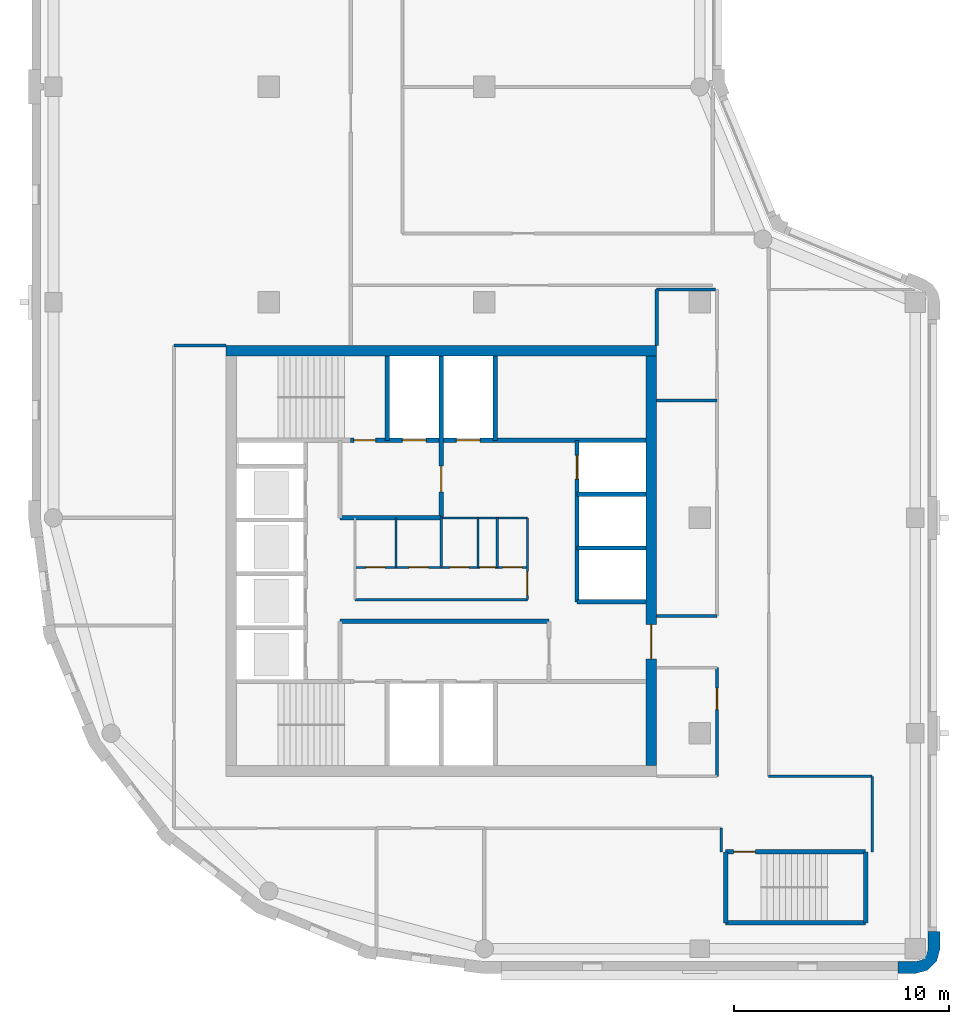
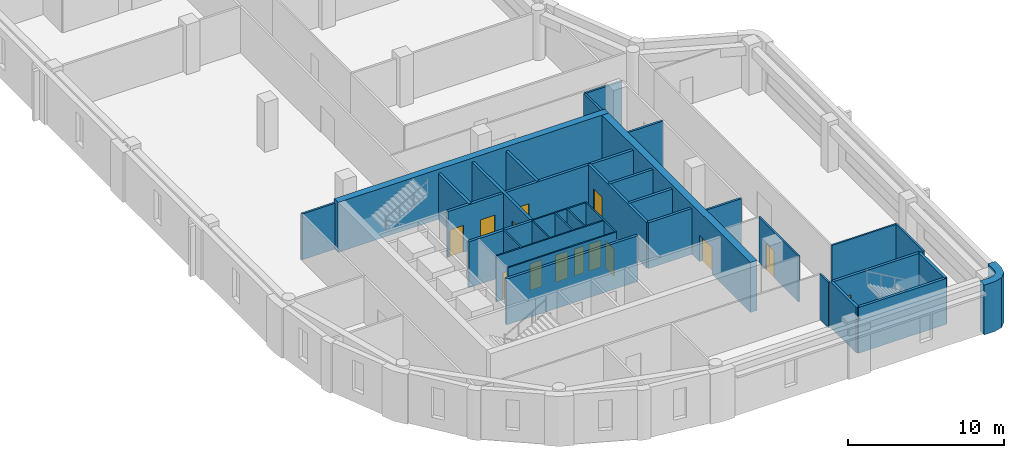
# One storey, part 3 of 8: 34 walls, 14 doors, 14 openings.
"""IFC4 building model written with IfcOpenShell, lengths in metres."""

from ifc_helpers import new_model, si_unit, direction, frame, frame_2d, origin, place, context, subcontext, project, spatial, polyline, rectangle, outline, extrude, material, layer, layer_set, type_object, element, fill, save


model = new_model("IFC4")

# Units and contexts
model_context = context("Model", 3, precision=1e-05, world=origin(), true_north=direction((0.0, 1.0)))
body_context = subcontext(model_context, "Body", "Model", "MODEL_VIEW")
ifc_project = project(units=[si_unit("LENGTHUNIT", "METRE"), si_unit("AREAUNIT", "SQUARE_METRE"), si_unit("VOLUMEUNIT", "CUBIC_METRE"), si_unit("PLANEANGLEUNIT", "RADIAN"), si_unit("MASSUNIT", "GRAM", prefix="KILO")], contexts=[model_context])

# Site, building, storey
site_placement = place(None, origin())
site = spatial("IfcSite", under=ifc_project, at=site_placement, CompositionType="ELEMENT")
building_placement = place(site_placement, origin())
building = spatial("IfcBuilding", under=site, at=building_placement, Name="Qaws Garden Tower", CompositionType="ELEMENT")
storey_placement = place(building_placement, frame((0.0, 0.0, 294.300048828125)))
storey = spatial("IfcBuildingStorey", under=building, at=storey_placement, Name="L71", CompositionType="ELEMENT", Elevation=294.300048828125)

# Walls
ifc_material_1 = material(Name="Clay facing brick masonry", Category="masonry")
ifc_layer_1 = layer(ifc_material_1, 0.550048828125)
ifc_layer_set_1 = layer_set([ifc_layer_1], Name="Clay facing brick masonry")
wall_type_1 = type_object("IfcWallType", Name="Brick corner pier 550 x 2400", PredefinedType="SOLIDWALL", material=ifc_layer_set_1)
wall_1_placement = place(storey_placement, origin())
element("IfcWall", 1, at=wall_1_placement, inside=storey, type_object=wall_type_1, Name="E-L71-pier-02", PredefinedType="SOLIDWALL", context=body_context, shape_type="SweptSolid", body=[
    extrude(outline(polyline([(39.199951171875, -1.0), (39.199951171875, -1.14990234375), (40.0, -1.14990234375), (40.574951171875, -0.995849609375), (40.995849609375, -0.574951171875), (41.14990234375, 0.0), (41.14990234375, 0.800048828125), (41.0, 0.800048828125), (40.60009765625, 0.800048828125), (40.60009765625, 0.0), (40.51953125, -0.300048828125), (40.300048828125, -0.51953125), (40.0, -0.60009765625), (39.199951171875, -0.60009765625), (39.199951171875, -1.0)])), origin(), (0.0, 0.0, 1.0), 3.89990234375),
])
ifc_material_2 = material(Name="Plasterboard")
ifc_layer_2 = layer(ifc_material_2, 0.10009765625)
ifc_layer_set_2 = layer_set([ifc_layer_2], Name="Plasterboard")
wall_type_2 = type_object("IfcWallType", Name="Core partition 100", PredefinedType="PARTITIONING", material=ifc_layer_set_2)
wall_2_placement = place(storey_placement, frame((14.0, 16.199951171875, 0.0), z_axis=(0.0, 0.0, 1.0), x_axis=(1.0, 0.0, 0.0)))
element("IfcWall", 2, at=wall_2_placement, inside=storey, type_object=wall_type_2, Name="Core partition", PredefinedType="PARTITIONING", context=body_context, shape_type="SweptSolid", body=[
    extrude(rectangle(XDim=8.0, YDim=0.10009765625, at=frame_2d((4.0, 0.0))), origin(), (0.0, 0.0, 1.0), 3.579833984375),
])

# Wall, openings, doors
wall_3_placement = place(storey_placement, frame((14.0, 17.699951171875, 0.0), z_axis=(0.0, 0.0, 1.0), x_axis=(1.0, 0.0, 0.0)))
wall_3 = element("IfcWall", 3, at=wall_3_placement, inside=storey, type_object=wall_type_2, Name="Core partition", PredefinedType="PARTITIONING", context=body_context, shape_type="SweptSolid", body=[
    extrude(rectangle(XDim=8.0, YDim=0.10009765625, at=frame_2d((4.0, 0.0))), origin(), (0.0, 0.0, 1.0), 3.579833984375),
])
opening_1_placement = place(wall_3_placement, frame((0.5, 0.0, 0.0)))
opening_1 = element("IfcOpeningElement", 4, at=opening_1_placement, cuts=wall_3, Name="Opening WD18", PredefinedType="OPENING", context=body_context, shape_type="SweptSolid", body=[
    extrude(rectangle(XDim=0.89990234375, YDim=2.10009765625, at=frame_2d((0.449951171875, 1.050048828125))), frame((0.0, 0.06005859375, 0.0), z_axis=(0.0, -1.0, 0.0), x_axis=(1.0, 0.0, 0.0)), (0.0, 0.0, 1.0), 0.1201171875),
])
opening_2_placement = place(wall_3_placement, frame((2.5, 0.0, 0.0)))
opening_2 = element("IfcOpeningElement", 5, at=opening_2_placement, cuts=wall_3, Name="Opening WD19", PredefinedType="OPENING", context=body_context, shape_type="SweptSolid", body=[
    extrude(rectangle(XDim=0.89990234375, YDim=2.10009765625, at=frame_2d((0.449951171875, 1.050048828125))), frame((0.0, 0.06005859375, 0.0), z_axis=(0.0, -1.0, 0.0), x_axis=(1.0, 0.0, 0.0)), (0.0, 0.0, 1.0), 0.1201171875),
])
opening_3_placement = place(wall_3_placement, frame((4.39990234375, 0.0, 0.0)))
opening_3 = element("IfcOpeningElement", 6, at=opening_3_placement, cuts=wall_3, Name="Opening WD20", PredefinedType="OPENING", context=body_context, shape_type="SweptSolid", body=[
    extrude(rectangle(XDim=0.89990234375, YDim=2.10009765625, at=frame_2d((0.449951171875, 1.050048828125))), frame((0.0, 0.06005859375, 0.0), z_axis=(0.0, -1.0, 0.0), x_axis=(1.0, 0.0, 0.0)), (0.0, 0.0, 1.0), 0.1201171875),
])
opening_4_placement = place(wall_3_placement, frame((5.800048828125, 0.0, 0.0)))
opening_4 = element("IfcOpeningElement", 7, at=opening_4_placement, cuts=wall_3, Name="Opening XD21", PredefinedType="OPENING", context=body_context, shape_type="SweptSolid", body=[
    extrude(rectangle(XDim=0.699951171875, YDim=2.10009765625, at=frame_2d((0.35009765625, 1.050048828125))), frame((0.0, 0.06005859375, 0.0), z_axis=(0.0, -1.0, 0.0), x_axis=(1.0, 0.0, 0.0)), (0.0, 0.0, 1.0), 0.1201171875),
])
opening_5_placement = place(wall_3_placement, frame((6.85009765625, 0.0, 0.0)))
opening_5 = element("IfcOpeningElement", 8, at=opening_5_placement, cuts=wall_3, Name="Opening WD22", PredefinedType="OPENING", context=body_context, shape_type="SweptSolid", body=[
    extrude(rectangle(XDim=0.89990234375, YDim=2.10009765625, at=frame_2d((0.449951171875, 1.050048828125))), frame((0.0, 0.06005859375, 0.0), z_axis=(0.0, -1.0, 0.0), x_axis=(1.0, 0.0, 0.0)), (0.0, 0.0, 1.0), 0.1201171875),
])
ifc_material_3 = material(Name="Timber", Category="wood")
door_type_1 = type_object("IfcDoorType", Name="Store door 700x2100", OperationType="SINGLE_SWING_LEFT", PredefinedType="DOOR", material=ifc_material_3)
door_1_placement = place(opening_4_placement, origin())
door_1 = element("IfcDoor", 9, at=door_1_placement, inside=storey, type_object=door_type_1, Name="Cleaner's store door", OperationType="SINGLE_SWING_RIGHT", OverallHeight=2.10009765625, OverallWidth=0.699951171875, PredefinedType="DOOR", context=body_context, shape_type="SweptSolid", body=[
    extrude(rectangle(XDim=0.699951171875, YDim=2.10009765625, at=frame_2d((0.35009765625, 1.050048828125))), frame((0.0, 0.02490234375, 0.0), z_axis=(0.0, -1.0, 0.0), x_axis=(1.0, 0.0, 0.0)), (0.0, 0.0, 1.0), 0.050048828125),
])
fill(opening_4, door_1)
ifc_material_4 = material(Name="Timber", Category="wood")
door_type_2 = type_object("IfcDoorType", Name="WC door 900x2100", OperationType="SINGLE_SWING_LEFT", PredefinedType="DOOR", material=ifc_material_4)
door_2_placement = place(opening_1_placement, origin())
door_2 = element("IfcDoor", 10, at=door_2_placement, inside=storey, type_object=door_type_2, Name="Men's WC door", OperationType="SINGLE_SWING_RIGHT", OverallHeight=2.10009765625, OverallWidth=0.89990234375, PredefinedType="DOOR", context=body_context, shape_type="SweptSolid", body=[
    extrude(rectangle(XDim=0.89990234375, YDim=2.10009765625, at=frame_2d((0.449951171875, 1.050048828125))), frame((0.0, 0.02490234375, 0.0), z_axis=(0.0, -1.0, 0.0), x_axis=(1.0, 0.0, 0.0)), (0.0, 0.0, 1.0), 0.050048828125),
])
fill(opening_1, door_2)
door_3_placement = place(opening_2_placement, origin())
door_3 = element("IfcDoor", 11, at=door_3_placement, inside=storey, type_object=door_type_2, Name="Women's WC door", OperationType="SINGLE_SWING_RIGHT", OverallHeight=2.10009765625, OverallWidth=0.89990234375, PredefinedType="DOOR", context=body_context, shape_type="SweptSolid", body=[
    extrude(rectangle(XDim=0.89990234375, YDim=2.10009765625, at=frame_2d((0.449951171875, 1.050048828125))), frame((0.0, 0.02490234375, 0.0), z_axis=(0.0, -1.0, 0.0), x_axis=(1.0, 0.0, 0.0)), (0.0, 0.0, 1.0), 0.050048828125),
])
fill(opening_2, door_3)
door_4_placement = place(opening_3_placement, origin())
door_4 = element("IfcDoor", 12, at=door_4_placement, inside=storey, type_object=door_type_2, Name="Accessible WC door", OperationType="SINGLE_SWING_RIGHT", OverallHeight=2.10009765625, OverallWidth=0.89990234375, PredefinedType="DOOR", context=body_context, shape_type="SweptSolid", body=[
    extrude(rectangle(XDim=0.89990234375, YDim=2.10009765625, at=frame_2d((0.449951171875, 1.050048828125))), frame((0.0, 0.02490234375, 0.0), z_axis=(0.0, -1.0, 0.0), x_axis=(1.0, 0.0, 0.0)), (0.0, 0.0, 1.0), 0.050048828125),
])
fill(opening_3, door_4)
door_5_placement = place(opening_5_placement, origin())
door_5 = element("IfcDoor", 13, at=door_5_placement, inside=storey, type_object=door_type_2, Name="Linen store door", OperationType="SINGLE_SWING_RIGHT", OverallHeight=2.10009765625, OverallWidth=0.89990234375, PredefinedType="DOOR", context=body_context, shape_type="SweptSolid", body=[
    extrude(rectangle(XDim=0.89990234375, YDim=2.10009765625, at=frame_2d((0.449951171875, 1.050048828125))), frame((0.0, 0.02490234375, 0.0), z_axis=(0.0, -1.0, 0.0), x_axis=(1.0, 0.0, 0.0)), (0.0, 0.0, 1.0), 0.050048828125),
])
fill(opening_5, door_5)

# Walls
wall_4_placement = place(storey_placement, frame((18.0, 20.0, 0.0), z_axis=(0.0, 0.0, 1.0), x_axis=(1.0, 0.0, 0.0)))
element("IfcWall", 14, at=wall_4_placement, inside=storey, type_object=wall_type_2, Name="Core partition", PredefinedType="PARTITIONING", context=body_context, shape_type="SweptSolid", body=[
    extrude(rectangle(XDim=4.0, YDim=0.10009765625, at=frame_2d((2.0, 0.0))), origin(), (0.0, 0.0, 1.0), 3.579833984375),
])
for number, where, z_axis, x_axis, name in (
    (15, (15.89990234375, 17.699951171875, 0.0), (0.0, 0.0, 1.0), (0.0, 1.0, 0.0), "Core partition"),
    (16, (18.0, 17.699951171875, 0.0), (0.0, 0.0, 1.0), (0.0, 1.0, 0.0), "Core partition"),
    (17, (19.699951171875, 17.699951171875, 0.0), (0.0, 0.0, 1.0), (0.0, 1.0, 0.0), "Core partition"),
    (18, (20.60009765625, 17.699951171875, 0.0), (0.0, 0.0, 1.0), (0.0, 1.0, 0.0), "Core partition"),
):
    element("IfcWall", number, at=place(storey_placement, frame(where, z_axis=z_axis, x_axis=x_axis)), inside=storey, type_object=wall_type_2, Name=name, PredefinedType="PARTITIONING", context=body_context, shape_type="SweptSolid", body=[
        extrude(rectangle(XDim=2.300048828125, YDim=0.10009765625, at=frame_2d((1.14990234375, 0.0))), origin(), (0.0, 0.0, 1.0), 3.579833984375),
    ])

# Wall, opening, door
wall_5_placement = place(storey_placement, frame((22.0, 16.199951171875, 0.0), z_axis=(0.0, 0.0, 1.0), x_axis=(0.0, 1.0, 0.0)))
wall_5 = element("IfcWall", 19, at=wall_5_placement, inside=storey, type_object=wall_type_2, Name="Core partition", PredefinedType="PARTITIONING", context=body_context, shape_type="SweptSolid", body=[
    extrude(rectangle(XDim=3.800048828125, YDim=0.10009765625, at=frame_2d((1.89990234375, 0.0))), origin(), (0.0, 0.0, 1.0), 3.579833984375),
])
opening_6_placement = place(wall_5_placement, frame((0.199951171875, 0.0, 0.0)))
opening_6 = element("IfcOpeningElement", 20, at=opening_6_placement, cuts=wall_5, Name="Opening WL17", PredefinedType="OPENING", context=body_context, shape_type="SweptSolid", body=[
    extrude(rectangle(XDim=1.10009765625, YDim=2.10009765625, at=frame_2d((0.550048828125, 1.050048828125))), frame((0.0, 0.06005859375, 0.0), z_axis=(0.0, -1.0, 0.0), x_axis=(1.0, 0.0, 0.0)), (0.0, 0.0, 1.0), 0.1201171875),
])
ifc_material_5 = material(Name="Timber", Category="wood")
door_type_3 = type_object("IfcDoorType", Name="WC lobby door 1100x2100", OperationType="SINGLE_SWING_LEFT", PredefinedType="DOOR", material=ifc_material_5)
door_6_placement = place(opening_6_placement, origin())
door_6 = element("IfcDoor", 21, at=door_6_placement, inside=storey, type_object=door_type_3, Name="WC lobby door", OperationType="SINGLE_SWING_RIGHT", OverallHeight=2.10009765625, OverallWidth=1.10009765625, PredefinedType="DOOR", context=body_context, shape_type="SweptSolid", body=[
    extrude(rectangle(XDim=1.10009765625, YDim=2.10009765625, at=frame_2d((0.550048828125, 1.050048828125))), frame((0.0, 0.02490234375, 0.0), z_axis=(0.0, -1.0, 0.0), x_axis=(1.0, 0.0, 0.0)), (0.0, 0.0, 1.0), 0.050048828125),
])
fill(opening_6, door_6)

# Wall
ifc_material_6 = material(Name="Concrete C60", Category="concrete")
ifc_layer_3 = layer(ifc_material_6, 0.199951171875)
ifc_layer_set_3 = layer_set([ifc_layer_3], Name="Concrete C60")
wall_type_3 = type_object("IfcWallType", Name="Core shaft wall 200 C60", PredefinedType="SHEAR", material=ifc_layer_set_3)
wall_6_placement = place(storey_placement, frame((31.199951171875, 1.199951171875, 0.0), z_axis=(0.0, 0.0, 1.0), x_axis=(1.0, 0.0, 0.0)))
element("IfcWall", 22, at=wall_6_placement, inside=storey, type_object=wall_type_3, Name="Shaft wall", PredefinedType="SHEAR", context=body_context, shape_type="SweptSolid", body=[
    extrude(rectangle(XDim=6.5, YDim=0.199951171875, at=frame_2d((3.25, 0.0))), origin(), (0.0, 0.0, 1.0), 3.579833984375),
])

# Wall, opening, door
wall_7_placement = place(storey_placement, frame((31.199951171875, 4.5, 0.0), z_axis=(0.0, 0.0, 1.0), x_axis=(1.0, 0.0, 0.0)))
wall_7 = element("IfcWall", 23, at=wall_7_placement, inside=storey, type_object=wall_type_3, Name="Shaft wall", PredefinedType="SHEAR", context=body_context, shape_type="SweptSolid", body=[
    extrude(rectangle(XDim=6.5, YDim=0.199951171875, at=frame_2d((3.25, 0.0))), origin(), (0.0, 0.0, 1.0), 3.579833984375),
])
opening_7_placement = place(wall_7_placement, frame((0.375, 0.0, 0.0)))
opening_7 = element("IfcOpeningElement", 24, at=opening_7_placement, cuts=wall_7, Name="Opening SD12", PredefinedType="OPENING", context=body_context, shape_type="SweptSolid", body=[
    extrude(rectangle(XDim=1.0, YDim=2.10009765625, at=frame_2d((0.5, 1.050048828125))), frame((0.0, 0.10986328125, 0.0), z_axis=(0.0, -1.0, 0.0), x_axis=(1.0, 0.0, 0.0)), (0.0, 0.0, 1.0), 0.219970703125),
])
ifc_material_7 = material(Name="Steel S235", Category="steel")
door_type_4 = type_object("IfcDoorType", Name="Stair door 1000x2100", OperationType="SINGLE_SWING_RIGHT", PredefinedType="DOOR", material=ifc_material_7)
door_7_placement = place(opening_7_placement, frame((1.0, 0.0, 0.0), z_axis=(0.0, 0.0, 1.0), x_axis=(-1.0, 0.0, 0.0)))
door_7 = element("IfcDoor", 25, at=door_7_placement, inside=storey, type_object=door_type_4, Name="Stair 5 door", OperationType="SINGLE_SWING_RIGHT", OverallHeight=2.10009765625, OverallWidth=1.0, PredefinedType="DOOR", context=body_context, shape_type="SweptSolid", body=[
    extrude(rectangle(XDim=1.0, YDim=2.10009765625, at=frame_2d((0.5, 1.050048828125))), frame((0.0, 0.02490234375, 0.0), z_axis=(0.0, -1.0, 0.0), x_axis=(1.0, 0.0, 0.0)), (0.0, 0.0, 1.0), 0.050048828125),
])
fill(opening_7, door_7)

# Walls
wall_8_placement = place(storey_placement, frame((13.300048828125, 15.199951171875, 0.0), z_axis=(0.0, 0.0, 1.0), x_axis=(1.0, 0.0, 0.0)))
element("IfcWall", 26, at=wall_8_placement, inside=storey, type_object=wall_type_3, Name="Shaft wall", PredefinedType="SHEAR", context=body_context, shape_type="SweptSolid", body=[
    extrude(rectangle(XDim=9.699951171875, YDim=0.199951171875, at=frame_2d((4.85009765625, 0.0))), origin(), (0.0, 0.0, 1.0), 3.579833984375),
])
for number, where, z_axis, x_axis, name in (
    (27, (24.300048828125, 16.10009765625, 0.0), (0.0, 0.0, 1.0), (1.0, 0.0, 0.0), "Shaft wall"),
    (28, (24.300048828125, 18.60009765625, 0.0), (0.0, 0.0, 1.0), (1.0, 0.0, 0.0), "Shaft wall"),
):
    element("IfcWall", number, at=place(storey_placement, frame(where, z_axis=z_axis, x_axis=x_axis)), inside=storey, type_object=wall_type_3, Name=name, PredefinedType="SHEAR", context=body_context, shape_type="SweptSolid", body=[
        extrude(rectangle(XDim=3.199951171875, YDim=0.199951171875, at=frame_2d((1.60009765625, 0.0))), origin(), (0.0, 0.0, 1.0), 3.579833984375),
    ])
wall_9_placement = place(storey_placement, frame((13.300048828125, 20.0, 0.0), z_axis=(0.0, 0.0, 1.0), x_axis=(1.0, 0.0, 0.0)))
element("IfcWall", 29, at=wall_9_placement, inside=storey, type_object=wall_type_3, Name="Shaft wall", PredefinedType="SHEAR", context=body_context, shape_type="SweptSolid", body=[
    extrude(rectangle(XDim=4.699951171875, YDim=0.199951171875, at=frame_2d((2.35009765625, 0.0))), origin(), (0.0, 0.0, 1.0), 3.579833984375),
])
wall_10_placement = place(storey_placement, frame((24.300048828125, 21.10009765625, 0.0), z_axis=(0.0, 0.0, 1.0), x_axis=(1.0, 0.0, 0.0)))
element("IfcWall", 30, at=wall_10_placement, inside=storey, type_object=wall_type_3, Name="Shaft wall", PredefinedType="SHEAR", context=body_context, shape_type="SweptSolid", body=[
    extrude(rectangle(XDim=3.199951171875, YDim=0.199951171875, at=frame_2d((1.60009765625, 0.0))), origin(), (0.0, 0.0, 1.0), 3.579833984375),
])

# Wall, openings, doors
wall_11_placement = place(storey_placement, frame((13.800048828125, 23.60009765625, 0.0), z_axis=(0.0, 0.0, 1.0), x_axis=(1.0, 0.0, 0.0)))
wall_11 = element("IfcWall", 31, at=wall_11_placement, inside=storey, type_object=wall_type_3, Name="Shaft wall", PredefinedType="SHEAR", context=body_context, shape_type="SweptSolid", body=[
    extrude(rectangle(XDim=13.699951171875, YDim=0.199951171875, at=frame_2d((6.85009765625, 0.0))), origin(), (0.0, 0.0, 1.0), 3.579833984375),
])
opening_8_placement = place(wall_11_placement, frame((2.39990234375, 0.0, 0.0)))
opening_8 = element("IfcOpeningElement", 32, at=opening_8_placement, cuts=wall_11, Name="Opening LD08", PredefinedType="OPENING", context=body_context, shape_type="SweptSolid", body=[
    extrude(rectangle(XDim=1.10009765625, YDim=2.10009765625, at=frame_2d((0.550048828125, 1.050048828125))), frame((0.0, 0.10986328125, 0.0), z_axis=(0.0, -1.0, 0.0), x_axis=(1.0, 0.0, 0.0)), (0.0, 0.0, 1.0), 0.219970703125),
])
opening_9_placement = place(wall_11_placement, frame((4.89990234375, 0.0, 0.0)))
opening_9 = element("IfcOpeningElement", 33, at=opening_9_placement, cuts=wall_11, Name="Opening LD09", PredefinedType="OPENING", context=body_context, shape_type="SweptSolid", body=[
    extrude(rectangle(XDim=1.10009765625, YDim=2.10009765625, at=frame_2d((0.550048828125, 1.050048828125))), frame((0.0, 0.10986328125, 0.0), z_axis=(0.0, -1.0, 0.0), x_axis=(1.0, 0.0, 0.0)), (0.0, 0.0, 1.0), 0.219970703125),
])
opening_10_placement = place(wall_11_placement, frame((0.14990234375, 0.0, 0.0)))
opening_10 = element("IfcOpeningElement", 34, at=opening_10_placement, cuts=wall_11, Name="Opening SD11", PredefinedType="OPENING", context=body_context, shape_type="SweptSolid", body=[
    extrude(rectangle(XDim=1.0, YDim=2.10009765625, at=frame_2d((0.5, 1.050048828125))), frame((0.0, 0.10986328125, 0.0), z_axis=(0.0, -1.0, 0.0), x_axis=(1.0, 0.0, 0.0)), (0.0, 0.0, 1.0), 0.219970703125),
])
ifc_material_8 = material(Name="Steel S235", Category="steel")
door_type_5 = type_object("IfcDoorType", Name="Landing door 1100x2100", OperationType="DOUBLE_DOOR_SLIDING", PredefinedType="DOOR", material=ifc_material_8)
door_8_placement = place(opening_8_placement, origin())
door_8 = element("IfcDoor", 35, at=door_8_placement, inside=storey, type_object=door_type_5, Name="Lift FF3 landing door", OperationType="DOUBLE_DOOR_SLIDING", OverallHeight=2.10009765625, OverallWidth=1.10009765625, PredefinedType="DOOR", context=body_context, shape_type="SweptSolid", body=[
    extrude(rectangle(XDim=1.10009765625, YDim=2.10009765625, at=frame_2d((0.550048828125, 1.050048828125))), frame((0.0, 0.02490234375, 0.0), z_axis=(0.0, -1.0, 0.0), x_axis=(1.0, 0.0, 0.0)), (0.0, 0.0, 1.0), 0.050048828125),
])
fill(opening_8, door_8)
door_9_placement = place(opening_9_placement, origin())
door_9 = element("IfcDoor", 36, at=door_9_placement, inside=storey, type_object=door_type_5, Name="Lift SV2 landing door", OperationType="DOUBLE_DOOR_SLIDING", OverallHeight=2.10009765625, OverallWidth=1.10009765625, PredefinedType="DOOR", context=body_context, shape_type="SweptSolid", body=[
    extrude(rectangle(XDim=1.10009765625, YDim=2.10009765625, at=frame_2d((0.550048828125, 1.050048828125))), frame((0.0, 0.02490234375, 0.0), z_axis=(0.0, -1.0, 0.0), x_axis=(1.0, 0.0, 0.0)), (0.0, 0.0, 1.0), 0.050048828125),
])
fill(opening_9, door_9)
door_10_placement = place(opening_10_placement, origin())
door_10 = element("IfcDoor", 37, at=door_10_placement, inside=storey, type_object=door_type_4, Name="Stair 4 door", OperationType="SINGLE_SWING_RIGHT", OverallHeight=2.10009765625, OverallWidth=1.0, PredefinedType="DOOR", context=body_context, shape_type="SweptSolid", body=[
    extrude(rectangle(XDim=1.0, YDim=2.10009765625, at=frame_2d((0.5, 1.050048828125))), frame((0.0, 0.02490234375, 0.0), z_axis=(0.0, -1.0, 0.0), x_axis=(1.0, 0.0, 0.0)), (0.0, 0.0, 1.0), 0.050048828125),
])
fill(opening_10, door_10)

# Wall
wall_12_placement = place(storey_placement, frame((15.5, 23.60009765625, 0.0), z_axis=(0.0, 0.0, 1.0), x_axis=(0.0, 1.0, 0.0)))
element("IfcWall", 38, at=wall_12_placement, inside=storey, type_object=wall_type_3, Name="Shaft wall", PredefinedType="SHEAR", context=body_context, shape_type="SweptSolid", body=[
    extrude(rectangle(XDim=3.89990234375, YDim=0.199951171875, at=frame_2d((1.949951171875, 0.0))), origin(), (0.0, 0.0, 1.0), 3.579833984375),
])

# Wall, opening, door
wall_13_placement = place(storey_placement, frame((18.0, 20.0, 0.0), z_axis=(0.0, 0.0, 1.0), x_axis=(0.0, 1.0, 0.0)))
wall_13 = element("IfcWall", 39, at=wall_13_placement, inside=storey, type_object=wall_type_3, Name="Shaft wall", PredefinedType="SHEAR", context=body_context, shape_type="SweptSolid", body=[
    extrude(rectangle(XDim=7.5, YDim=0.199951171875, at=frame_2d((3.75, 0.0))), origin(), (0.0, 0.0, 1.0), 3.579833984375),
])
opening_11_placement = place(wall_13_placement, frame((1.199951171875, 0.0, 0.0)))
opening_11 = element("IfcOpeningElement", 40, at=opening_11_placement, cuts=wall_13, Name="Opening FD16", PredefinedType="OPENING", context=body_context, shape_type="SweptSolid", body=[
    extrude(rectangle(XDim=1.199951171875, YDim=2.10009765625, at=frame_2d((0.60009765625, 1.050048828125))), frame((0.0, 0.10986328125, 0.0), z_axis=(0.0, -1.0, 0.0), x_axis=(1.0, 0.0, 0.0)), (0.0, 0.0, 1.0), 0.219970703125),
])
ifc_material_9 = material(Name="Steel S235", Category="steel")
door_type_6 = type_object("IfcDoorType", Name="Lobby door 1200x2100", OperationType="DOUBLE_DOOR_SINGLE_SWING", PredefinedType="DOOR", material=ifc_material_9)
door_11_placement = place(opening_11_placement, origin())
door_11 = element("IfcDoor", 41, at=door_11_placement, inside=storey, type_object=door_type_6, Name="Fire-fighting lobby door", OperationType="DOUBLE_DOOR_SINGLE_SWING", OverallHeight=2.10009765625, OverallWidth=1.199951171875, PredefinedType="DOOR", context=body_context, shape_type="SweptSolid", body=[
    extrude(rectangle(XDim=1.199951171875, YDim=2.10009765625, at=frame_2d((0.60009765625, 1.050048828125))), frame((0.0, 0.02490234375, 0.0), z_axis=(0.0, -1.0, 0.0), x_axis=(1.0, 0.0, 0.0)), (0.0, 0.0, 1.0), 0.050048828125),
])
fill(opening_11, door_11)

# Wall
wall_14_placement = place(storey_placement, frame((20.5, 23.60009765625, 0.0), z_axis=(0.0, 0.0, 1.0), x_axis=(0.0, 1.0, 0.0)))
element("IfcWall", 42, at=wall_14_placement, inside=storey, type_object=wall_type_3, Name="Shaft wall", PredefinedType="SHEAR", context=body_context, shape_type="SweptSolid", body=[
    extrude(rectangle(XDim=3.89990234375, YDim=0.199951171875, at=frame_2d((1.949951171875, 0.0))), origin(), (0.0, 0.0, 1.0), 3.579833984375),
])

# Wall, opening, door
wall_15_placement = place(storey_placement, frame((24.300048828125, 16.10009765625, 0.0), z_axis=(0.0, 0.0, 1.0), x_axis=(0.0, 1.0, 0.0)))
wall_15 = element("IfcWall", 43, at=wall_15_placement, inside=storey, type_object=wall_type_3, Name="Shaft wall", PredefinedType="SHEAR", context=body_context, shape_type="SweptSolid", body=[
    extrude(rectangle(XDim=7.5, YDim=0.199951171875, at=frame_2d((3.75, 0.0))), origin(), (0.0, 0.0, 1.0), 3.579833984375),
])
opening_12_placement = place(wall_15_placement, frame((5.699951171875, 0.0, 0.0)))
opening_12 = element("IfcOpeningElement", 44, at=opening_12_placement, cuts=wall_15, Name="Opening LD05", PredefinedType="OPENING", context=body_context, shape_type="SweptSolid", body=[
    extrude(rectangle(XDim=1.10009765625, YDim=2.10009765625, at=frame_2d((0.550048828125, 1.050048828125))), frame((0.0, 0.10986328125, 0.0), z_axis=(0.0, -1.0, 0.0), x_axis=(1.0, 0.0, 0.0)), (0.0, 0.0, 1.0), 0.219970703125),
])
door_12_placement = place(opening_12_placement, origin())
door_12 = element("IfcDoor", 45, at=door_12_placement, inside=storey, type_object=door_type_5, Name="Lift E3 landing door", OperationType="DOUBLE_DOOR_SLIDING", OverallHeight=2.10009765625, OverallWidth=1.10009765625, PredefinedType="DOOR", context=body_context, shape_type="SweptSolid", body=[
    extrude(rectangle(XDim=1.10009765625, YDim=2.10009765625, at=frame_2d((0.550048828125, 1.050048828125))), frame((0.0, 0.02490234375, 0.0), z_axis=(0.0, -1.0, 0.0), x_axis=(1.0, 0.0, 0.0)), (0.0, 0.0, 1.0), 0.050048828125),
])
fill(opening_12, door_12)

# Walls
for number, where, z_axis, x_axis, name in (
    (46, (31.199951171875, 1.199951171875, 0.0), (0.0, 0.0, 1.0), (0.0, 1.0, 0.0), "Shaft wall"),
    (47, (37.699951171875, 1.199951171875, 0.0), (0.0, 0.0, 1.0), (0.0, 1.0, 0.0), "Shaft wall"),
):
    element("IfcWall", number, at=place(storey_placement, frame(where, z_axis=z_axis, x_axis=x_axis)), inside=storey, type_object=wall_type_3, Name=name, PredefinedType="SHEAR", context=body_context, shape_type="SweptSolid", body=[
        extrude(rectangle(XDim=3.300048828125, YDim=0.199951171875, at=frame_2d((1.64990234375, 0.0))), origin(), (0.0, 0.0, 1.0), 3.579833984375),
    ])

# Wall, opening, door
ifc_material_10 = material(Name="Concrete C60", Category="concrete")
ifc_layer_4 = layer(ifc_material_10, 0.5)
ifc_layer_set_4 = layer_set([ifc_layer_4], Name="Concrete C60")
wall_type_4 = type_object("IfcWallType", Name="Core wall 500 C60", PredefinedType="SHEAR", material=ifc_layer_set_4)
wall_16_placement = place(storey_placement, frame((27.75, 8.5, 0.0), z_axis=(0.0, 0.0, 1.0), x_axis=(0.0, 1.0, 0.0)))
wall_16 = element("IfcWall", 48, at=wall_16_placement, inside=storey, type_object=wall_type_4, Name="Core wall L71 east", PredefinedType="SHEAR", context=body_context, shape_type="SweptSolid", body=[
    extrude(rectangle(XDim=19.0, YDim=0.5, at=frame_2d((9.5, 0.0))), origin(), (0.0, 0.0, 1.0), 3.89990234375),
])
opening_13_placement = place(wall_16_placement, frame((4.949951171875, 0.0, 0.0)))
opening_13 = element("IfcOpeningElement", 49, at=opening_13_placement, cuts=wall_16, Name="Opening ED23", PredefinedType="OPENING", context=body_context, shape_type="SweptSolid", body=[
    extrude(rectangle(XDim=1.60009765625, YDim=2.10009765625, at=frame_2d((0.800048828125, 1.050048828125))), frame((0.0, 0.260009765625, 0.0), z_axis=(0.0, -1.0, 0.0), x_axis=(1.0, 0.0, 0.0)), (0.0, 0.0, 1.0), 0.52001953125),
])
ifc_material_11 = material(Name="Steel S235", Category="steel")
door_type_7 = type_object("IfcDoorType", Name="Core entrance door 1600x2100", OperationType="DOUBLE_DOOR_SINGLE_SWING", PredefinedType="DOOR", material=ifc_material_11)
door_13_placement = place(opening_13_placement, origin())
door_13 = element("IfcDoor", 50, at=door_13_placement, inside=storey, type_object=door_type_7, Name="Core entrance door", OperationType="DOUBLE_DOOR_SINGLE_SWING", OverallHeight=2.10009765625, OverallWidth=1.60009765625, PredefinedType="DOOR", context=body_context, shape_type="SweptSolid", body=[
    extrude(rectangle(XDim=1.60009765625, YDim=2.10009765625, at=frame_2d((0.800048828125, 1.050048828125))), frame((0.0, 0.02490234375, 0.0), z_axis=(0.0, -1.0, 0.0), x_axis=(1.0, 0.0, 0.0)), (0.0, 0.0, 1.0), 0.050048828125),
])
fill(opening_13, door_13)

# Wall
wall_17_placement = place(storey_placement, frame((28.0, 27.75, 0.0), z_axis=(0.0, 0.0, 1.0), x_axis=(-1.0, 0.0, 0.0)))
element("IfcWall", 51, at=wall_17_placement, inside=storey, type_object=wall_type_4, Name="Core wall L71 north", PredefinedType="SHEAR", context=body_context, shape_type="SweptSolid", body=[
    extrude(rectangle(XDim=20.0, YDim=0.5, at=frame_2d((10.0, 0.0))), origin(), (0.0, 0.0, 1.0), 3.89990234375),
])

# Wall, opening, door
ifc_material_12 = material(Name="Glass and aluminium framing", Category="aluminium")
ifc_layer_5 = layer(ifc_material_12, 0.1201171875)
ifc_layer_set_5 = layer_set([ifc_layer_5], Name="Glass and aluminium framing")
wall_type_5 = type_object("IfcWallType", Name="GLAZED PARTITION 120 EI 30", PredefinedType="PARTITIONING", material=ifc_layer_set_5)
wall_18_placement = place(storey_placement, frame((30.800048828125, 8.0, 0.0), z_axis=(0.0, 0.0, 1.0), x_axis=(0.0, 1.0, 0.0)))
wall_18 = element("IfcWall", 52, at=wall_18_placement, inside=storey, type_object=wall_type_5, Name="O-L71-wall-037", PredefinedType="PARTITIONING", context=body_context, shape_type="SweptSolid", body=[
    extrude(rectangle(XDim=5.050048828125, YDim=0.1201171875, at=frame_2d((2.52490234375, 0.0))), origin(), (0.0, 0.0, 1.0), 3.579833984375),
])
opening_14_placement = place(wall_18_placement, frame((3.10009765625, 0.0, 0.0)))
opening_14 = element("IfcOpeningElement", 53, at=opening_14_placement, cuts=wall_18, Name="Opening C614", PredefinedType="OPENING", context=body_context, shape_type="SweptSolid", body=[
    extrude(rectangle(XDim=1.0, YDim=2.10009765625, at=frame_2d((0.5, 1.050048828125))), frame((0.0, 0.070068359375, 0.0), z_axis=(0.0, -1.0, 0.0), x_axis=(1.0, 0.0, 0.0)), (0.0, 0.0, 1.0), 0.14013671875),
])
ifc_material_13 = material(Name="Timber door leaf", Category="wood")
door_type_8 = type_object("IfcDoorType", Name="TENANCY ENTRANCE DOOR 1000 X 2100", OperationType="SINGLE_SWING_LEFT", PredefinedType="DOOR", material=ifc_material_13)
door_14_placement = place(opening_14_placement, origin())
door_14 = element("IfcDoor", 54, at=door_14_placement, inside=storey, type_object=door_type_8, Name="O-L71-door-014", OperationType="SINGLE_SWING_RIGHT", OverallHeight=2.10009765625, OverallWidth=1.0, PredefinedType="DOOR", context=body_context, shape_type="SweptSolid", body=[
    extrude(rectangle(XDim=1.0, YDim=2.10009765625, at=frame_2d((0.5, 1.050048828125))), frame((0.0, 0.02490234375, 0.0), z_axis=(0.0, -1.0, 0.0), x_axis=(1.0, 0.0, 0.0)), (0.0, 0.0, 1.0), 0.050048828125),
])
fill(opening_14, door_14)

# Walls
wall_19_placement = place(storey_placement, frame((31.0, 4.5, 0.0), z_axis=(0.0, 0.0, 1.0), x_axis=(0.0, 1.0, 0.0)))
element("IfcWall", 55, at=wall_19_placement, inside=storey, type_object=wall_type_5, Name="O-L71-wall-038", PredefinedType="PARTITIONING", context=body_context, shape_type="SweptSolid", body=[
    extrude(rectangle(XDim=1.10009765625, YDim=0.1201171875, at=frame_2d((0.550048828125, 0.0))), origin(), (0.0, 0.0, 1.0), 3.579833984375),
])
wall_20_placement = place(storey_placement, frame((38.0, 4.5, 0.0), z_axis=(0.0, 0.0, 1.0), x_axis=(0.0, 1.0, 0.0)))
element("IfcWall", 56, at=wall_20_placement, inside=storey, type_object=wall_type_5, Name="O-L71-wall-040", PredefinedType="PARTITIONING", context=body_context, shape_type="SweptSolid", body=[
    extrude(rectangle(XDim=3.5, YDim=0.1201171875, at=frame_2d((1.75, 0.0))), origin(), (0.0, 0.0, 1.0), 3.579833984375),
])
wall_21_placement = place(storey_placement, frame((33.199951171875, 8.0, 0.0), z_axis=(0.0, 0.0, 1.0), x_axis=(1.0, 0.0, 0.0)))
element("IfcWall", 57, at=wall_21_placement, inside=storey, type_object=wall_type_5, Name="O-L71-wall-044", PredefinedType="PARTITIONING", context=body_context, shape_type="SweptSolid", body=[
    extrude(rectangle(XDim=4.800048828125, YDim=0.1201171875, at=frame_2d((2.39990234375, 0.0))), origin(), (0.0, 0.0, 1.0), 3.579833984375),
])
ifc_material_14 = material(Name="Gypsum board partition")
ifc_layer_6 = layer(ifc_material_14, 0.14990234375)
ifc_layer_set_6 = layer_set([ifc_layer_6], Name="Gypsum board partition")
wall_type_6 = type_object("IfcWallType", Name="PARTITION 150 EI 60", PredefinedType="PARTITIONING", material=ifc_layer_set_6)
wall_22_placement = place(storey_placement, frame((28.0, 28.0, 0.0), z_axis=(0.0, 0.0, 1.0), x_axis=(0.0, 1.0, 0.0)))
element("IfcWall", 58, at=wall_22_placement, inside=storey, type_object=wall_type_6, Name="O-L71-wall-012", PredefinedType="PARTITIONING", context=body_context, shape_type="SweptSolid", body=[
    extrude(rectangle(XDim=2.597900390625, YDim=0.14990234375, at=frame_2d((1.298828125, 0.0))), origin(), (0.0, 0.0, 1.0), 3.579833984375),
])
for number, where, z_axis, x_axis, name in (
    (59, (28.0, 15.449951171875, 0.0), (0.0, 0.0, 1.0), (1.0, 0.0, 0.0), "O-L71-wall-018"),
    (60, (28.0, 25.449951171875, 0.0), (0.0, 0.0, 1.0), (1.0, 0.0, 0.0), "O-L71-wall-020"),
):
    element("IfcWall", number, at=place(storey_placement, frame(where, z_axis=z_axis, x_axis=x_axis)), inside=storey, type_object=wall_type_6, Name=name, PredefinedType="PARTITIONING", context=body_context, shape_type="SweptSolid", body=[
        extrude(rectangle(XDim=2.800048828125, YDim=0.14990234375, at=frame_2d((1.39990234375, 0.0))), origin(), (0.0, 0.0, 1.0), 3.579833984375),
    ])
wall_23_placement = place(storey_placement, frame((5.60009765625, 28.0, 0.0), z_axis=(0.0, 0.0, 1.0), x_axis=(1.0, 0.0, 0.0)))
element("IfcWall", 61, at=wall_23_placement, inside=storey, type_object=wall_type_6, Name="O-L71-wall-021", PredefinedType="PARTITIONING", context=body_context, shape_type="SweptSolid", body=[
    extrude(rectangle(XDim=2.39990234375, YDim=0.14990234375, at=frame_2d((1.199951171875, 0.0))), origin(), (0.0, 0.0, 1.0), 3.579833984375),
])
wall_24_placement = place(storey_placement, frame((28.001953125, 30.60009765625, 0.0), z_axis=(0.0, 0.0, 1.0), x_axis=(1.0, 0.0, 0.0)))
element("IfcWall", 62, at=wall_24_placement, inside=storey, type_object=wall_type_6, Name="O-L71-wall-022", PredefinedType="PARTITIONING", context=body_context, shape_type="SweptSolid", body=[
    extrude(rectangle(XDim=2.72314453125, YDim=0.14990234375, at=frame_2d((1.361572265625, 0.0))), origin(), (0.0, 0.0, 1.0), 3.579833984375),
])

save(model, "model.ifc")
